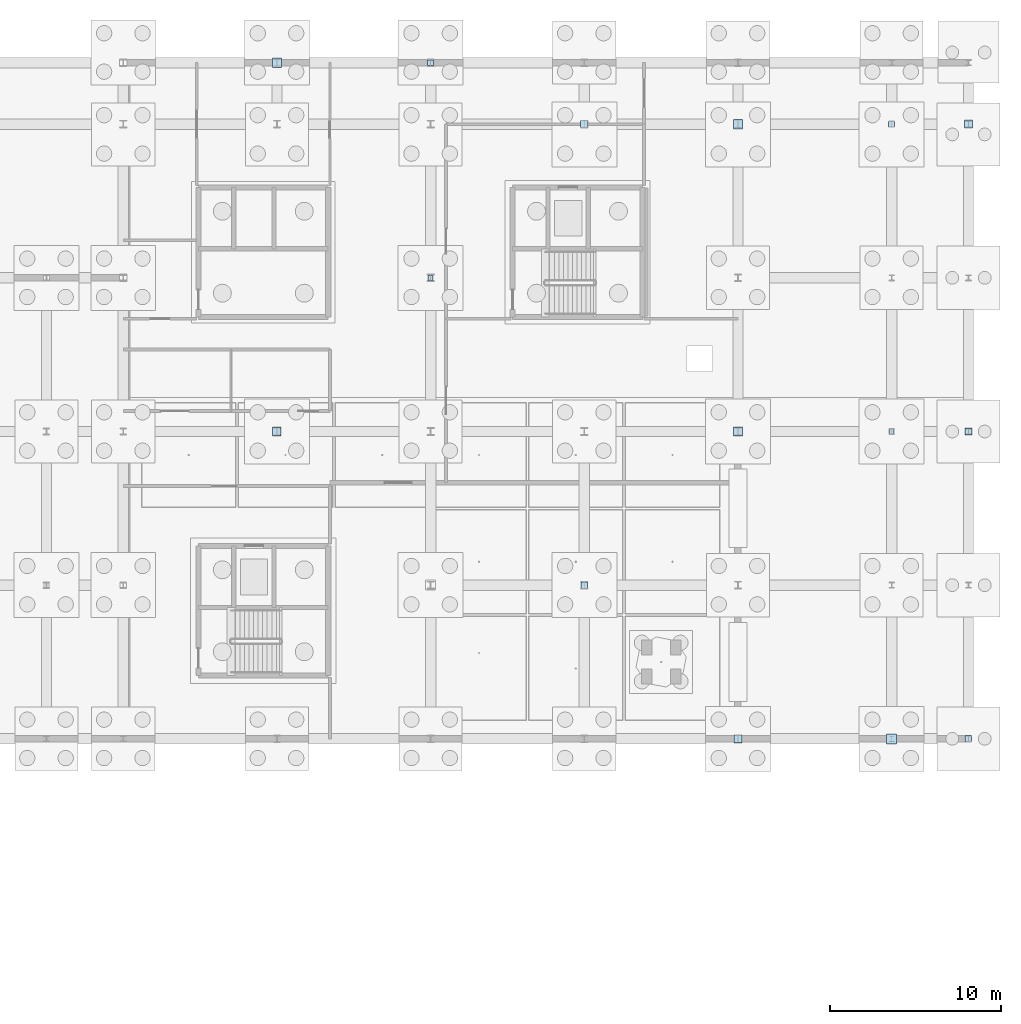
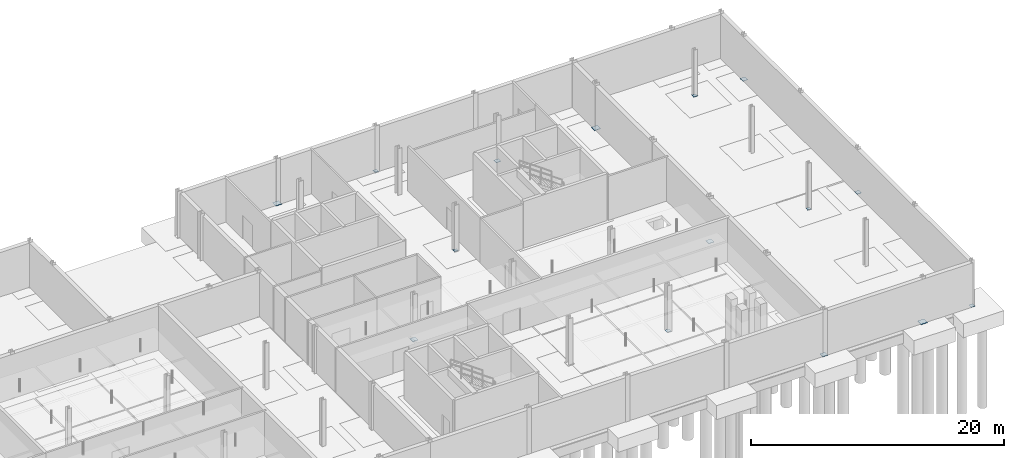
# One storey, part 23 of 48: 15 plates.
"""IFC4 building model written with IfcOpenShell, lengths in metres."""

from ifc_helpers import new_model, si_unit, direction, frame, origin, origin_2d, place, context, subcontext, project, spatial, rectangle, extrude, material, layer, layer_set, type_object, element, save


model = new_model("IFC4")

# Units and contexts
model_context = context("Model", 3, precision=1e-05, world=origin(), true_north=direction((0.0, 1.0)))
body_context = subcontext(model_context, "Body", "Model", "MODEL_VIEW")
ifc_project = project(units=[si_unit("LENGTHUNIT", "METRE"), si_unit("AREAUNIT", "SQUARE_METRE"), si_unit("VOLUMEUNIT", "CUBIC_METRE"), si_unit("PLANEANGLEUNIT", "RADIAN"), si_unit("MASSUNIT", "GRAM", prefix="KILO"), si_unit("THERMODYNAMICTEMPERATUREUNIT", "KELVIN"), si_unit("POWERUNIT", "WATT")], contexts=[model_context])

# Site, building, storey
site_placement = place(None, origin())
site = spatial("IfcSite", under=ifc_project, at=site_placement, CompositionType="ELEMENT")
building_placement = place(site_placement, origin())
building = spatial("IfcBuilding", under=site, at=building_placement, Name="Tallowbark Science Centre", CompositionType="ELEMENT")
storey_placement = place(building_placement, frame((0.0, 0.0, -4.5)))
storey = spatial("IfcBuildingStorey", under=building, at=storey_placement, Name="B1", CompositionType="ELEMENT", Elevation=-4.5)

# Plates
ifc_material = material(Name="Structural Steel Grade 300PLUS (300 MPa)", Category="steel")
ifc_layer_1 = layer(ifc_material, 0.010009765625)
ifc_layer_set_1 = layer_set([ifc_layer_1], Name="Structural Steel Grade 300PLUS (300 MPa)")
plate_type_1 = type_object("IfcPlateType", Name="PLT-GUS-10", PredefinedType="SHEET", material=ifc_layer_set_1)
for number, where, z_axis, x_axis, name in (
    (1, (130.5, 99.0, 0.0), (0.0, 0.0, 1.0), (1.0, 0.0, 0.0), "Column Baseplate OBS-2_3"),
    (2, (157.5, 90.0, 0.0), (0.0, 0.0, 1.0), (1.0, 0.0, 0.0), "Column Baseplate OBS-5_2"),
):
    element("IfcPlate", number, at=place(storey_placement, frame(where, z_axis=z_axis, x_axis=x_axis)), inside=storey, type_object=plate_type_1, Name=name, PredefinedType="SHEET", context=body_context, shape_type="SweptSolid", body=[
        extrude(rectangle(XDim=0.300048828125, YDim=0.300048828125, at=origin_2d()), origin(), (0.0, 0.0, 1.0), 0.010009765625),
    ])
ifc_layer_2 = layer(ifc_material, 0.013916015625)
ifc_layer_set_2 = layer_set([ifc_layer_2], Name="Structural Steel Grade 300PLUS (300 MPa)")
plate_type_2 = type_object("IfcPlateType", Name="PLT-GUS-14", PredefinedType="SHEET", material=ifc_layer_set_2)
for number, where, z_axis, x_axis, name in (
    (3, (130.5, 111.60009765625, 0.0), (0.0, 0.0, 1.0), (1.0, 0.0, 0.0), "Column Baseplate OBS-2_5"),
    (4, (157.5, 108.0, 0.0), (0.0, 0.0, 1.0), (1.0, 0.0, 0.0), "Column Baseplate OBS-5_4"),
):
    element("IfcPlate", number, at=place(storey_placement, frame(where, z_axis=z_axis, x_axis=x_axis)), inside=storey, type_object=plate_type_2, Name=name, PredefinedType="SHEET", context=body_context, shape_type="SweptSolid", body=[
        extrude(rectangle(XDim=0.340087890625, YDim=0.340087890625, at=origin_2d()), origin(), (0.0, 0.0, 1.0), 0.013916015625),
    ])
ifc_layer_3 = layer(ifc_material, 0.01806640625)
ifc_layer_set_3 = layer_set([ifc_layer_3], Name="Structural Steel Grade 300PLUS (300 MPa)")
plate_type_3 = type_object("IfcPlateType", Name="PLT-GUS-18", PredefinedType="SHEET", material=ifc_layer_set_3)
for number, where, z_axis, x_axis, name in (
    (5, (139.5, 81.0, 0.0), (0.0, 0.0, 1.0), (1.0, 0.0, 0.0), "Column Baseplate OBS-3_1"),
    (6, (162.0, 72.0, 0.0), (0.0, 0.0, 1.0), (1.0, 0.0, 0.0), "Column Baseplate OBS-6_0"),
):
    element("IfcPlate", number, at=place(storey_placement, frame(where, z_axis=z_axis, x_axis=x_axis)), inside=storey, type_object=plate_type_3, Name=name, PredefinedType="SHEET", context=body_context, shape_type="SweptSolid", body=[
        extrude(rectangle(XDim=0.3798828125, YDim=0.3798828125, at=origin_2d()), origin(), (0.0, 0.0, 1.0), 0.01806640625),
    ])
ifc_layer_4 = layer(ifc_material, 0.02197265625)
ifc_layer_set_4 = layer_set([ifc_layer_4], Name="Structural Steel Grade 300PLUS (300 MPa)")
plate_type_4 = type_object("IfcPlateType", Name="PLT-GUS-22", PredefinedType="SHEET", material=ifc_layer_set_4)
for number, where, z_axis, x_axis, name in (
    (7, (139.5, 108.0, 0.0), (0.0, 0.0, 1.0), (1.0, 0.0, 0.0), "Column Baseplate OBS-3_4"),
    (8, (162.0, 90.0, 0.0), (0.0, 0.0, 1.0), (1.0, 0.0, 0.0), "Column Baseplate OBS-6_2"),
):
    element("IfcPlate", number, at=place(storey_placement, frame(where, z_axis=z_axis, x_axis=x_axis)), inside=storey, type_object=plate_type_4, Name=name, PredefinedType="SHEET", context=body_context, shape_type="SweptSolid", body=[
        extrude(rectangle(XDim=0.419921875, YDim=0.419921875, at=origin_2d()), origin(), (0.0, 0.0, 1.0), 0.02197265625),
    ])
ifc_layer_5 = layer(ifc_material, 0.02587890625)
ifc_layer_set_5 = layer_set([ifc_layer_5], Name="Structural Steel Grade 300PLUS (300 MPa)")
plate_type_5 = type_object("IfcPlateType", Name="PLT-GUS-26", PredefinedType="SHEET", material=ifc_layer_set_5)
for number, where, z_axis, x_axis, name in (
    (9, (148.5, 72.0, 0.0), (0.0, 0.0, 1.0), (1.0, 0.0, 0.0), "Column Baseplate OBS-4_0"),
    (10, (162.0, 108.0, 0.0), (0.0, 0.0, 1.0), (1.0, 0.0, 0.0), "Column Baseplate OBS-6_4"),
):
    element("IfcPlate", number, at=place(storey_placement, frame(where, z_axis=z_axis, x_axis=x_axis)), inside=storey, type_object=plate_type_5, Name=name, PredefinedType="SHEET", context=body_context, shape_type="SweptSolid", body=[
        extrude(rectangle(XDim=0.4599609375, YDim=0.4599609375, at=origin_2d()), origin(), (0.0, 0.0, 1.0), 0.02587890625),
    ])
ifc_layer_6 = layer(ifc_material, 0.030029296875)
ifc_layer_set_6 = layer_set([ifc_layer_6], Name="Structural Steel Grade 300PLUS (300 MPa)")
plate_type_6 = type_object("IfcPlateType", Name="PLT-GUS-30", PredefinedType="SHEET", material=ifc_layer_set_6)
for number, where, z_axis, x_axis, name in (
    (11, (121.5, 90.0, 0.0), (0.0, 0.0, 1.0), (1.0, 0.0, 0.0), "Column Baseplate OBS-1_2"),
    (12, (148.5, 90.0, 0.0), (0.0, 0.0, 1.0), (1.0, 0.0, 0.0), "Column Baseplate OBS-4_2"),
):
    element("IfcPlate", number, at=place(storey_placement, frame(where, z_axis=z_axis, x_axis=x_axis)), inside=storey, type_object=plate_type_6, Name=name, PredefinedType="SHEET", context=body_context, shape_type="SweptSolid", body=[
        extrude(rectangle(XDim=0.5, YDim=0.5, at=origin_2d()), origin(), (0.0, 0.0, 1.0), 0.030029296875),
    ])
ifc_layer_7 = layer(ifc_material, 0.033935546875)
ifc_layer_set_7 = layer_set([ifc_layer_7], Name="Structural Steel Grade 300PLUS (300 MPa)")
plate_type_7 = type_object("IfcPlateType", Name="PLT-GUS-34", PredefinedType="SHEET", material=ifc_layer_set_7)
for number, where, z_axis, x_axis, name in (
    (13, (121.5, 111.60009765625, 0.0), (0.0, 0.0, 1.0), (1.0, 0.0, 0.0), "Column Baseplate OBS-1_5"),
    (14, (148.5, 108.0, 0.0), (0.0, 0.0, 1.0), (1.0, 0.0, 0.0), "Column Baseplate OBS-4_4"),
):
    element("IfcPlate", number, at=place(storey_placement, frame(where, z_axis=z_axis, x_axis=x_axis)), inside=storey, type_object=plate_type_7, Name=name, PredefinedType="SHEET", context=body_context, shape_type="SweptSolid", body=[
        extrude(rectangle(XDim=0.5400390625, YDim=0.5400390625, at=origin_2d()), origin(), (0.0, 0.0, 1.0), 0.033935546875),
    ])
ifc_layer_8 = layer(ifc_material, 0.0380859375)
ifc_layer_set_8 = layer_set([ifc_layer_8], Name="Structural Steel Grade 300PLUS (300 MPa)")
plate_type_8 = type_object("IfcPlateType", Name="PLT-GUS-38", PredefinedType="SHEET", material=ifc_layer_set_8)
plate_placement = place(storey_placement, frame((157.5, 72.0, 0.0), z_axis=(0.0, 0.0, 1.0), x_axis=(1.0, 0.0, 0.0)))
element("IfcPlate", 15, at=plate_placement, inside=storey, type_object=plate_type_8, Name="Column Baseplate OBS-5_0", PredefinedType="SHEET", context=body_context, shape_type="SweptSolid", body=[
    extrude(rectangle(XDim=0.580078125, YDim=0.580078125, at=origin_2d()), origin(), (0.0, 0.0, 1.0), 0.0380859375),
])

save(model, "model.ifc")
